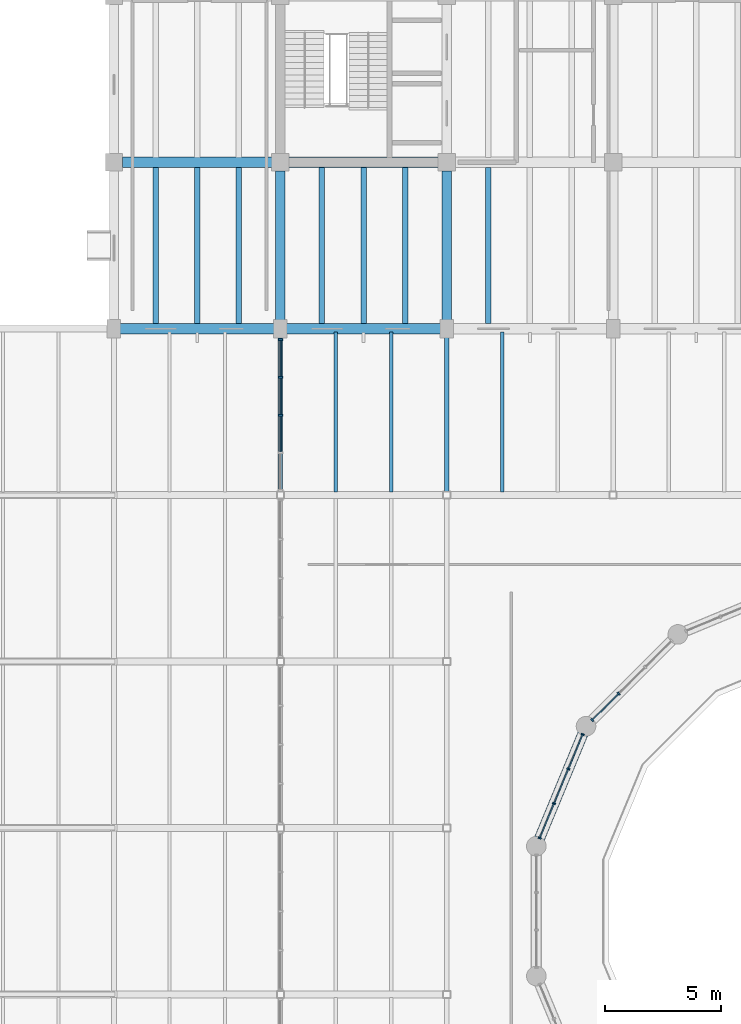
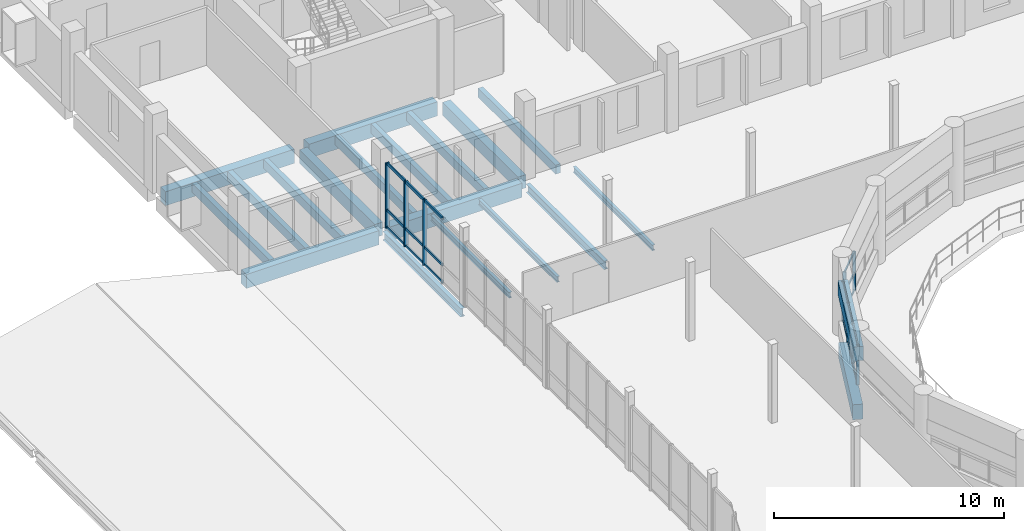
# One storey, part 29 of 63: 30 members, 20 beams, 3 elements without a shape of their own.
"""IFC4 building model written with IfcOpenShell, lengths in metres."""

from ifc_helpers import new_model, si_unit, direction, frame, origin, origin_2d, place, context, subcontext, project, spatial, rectangle, i_section, extrude, material, material_profile, profile_set, type_object, element, aggregate, save


model = new_model("IFC4")

# Units and contexts
model_context = context("Model", 3, precision=1e-05, world=origin(), true_north=direction((0.0, 1.0)))
body_context = subcontext(model_context, "Body", "Model", "MODEL_VIEW")
ifc_project = project(units=[si_unit("LENGTHUNIT", "METRE"), si_unit("AREAUNIT", "SQUARE_METRE"), si_unit("VOLUMEUNIT", "CUBIC_METRE"), si_unit("PLANEANGLEUNIT", "RADIAN"), si_unit("MASSUNIT", "GRAM", prefix="KILO")], contexts=[model_context])

# Site, building, storey
site_placement = place(None, origin())
site = spatial("IfcSite", under=ifc_project, at=site_placement, CompositionType="ELEMENT")
building_placement = place(site_placement, origin())
building = spatial("IfcBuilding", under=site, at=building_placement, Name="Qiaolan Assembly House", CompositionType="ELEMENT")
storey_placement = place(building_placement, frame((0.0, 0.0, 14.39990234375)))
storey = spatial("IfcBuildingStorey", under=building, at=storey_placement, Name="L03", CompositionType="ELEMENT", Elevation=14.39990234375)

# Beams
ifc_material_1 = material(Name="Concrete C40/50", Category="concrete")
ifc_material_profile_1 = material_profile(ifc_material_1, rectangle(XDim=0.39990234375, YDim=0.699951171875, at=origin_2d()), Name="RCB 400x700")
ifc_profile_set_1 = profile_set([ifc_material_profile_1], Name="Concrete C40/50")
beam_type_1 = type_object("IfcBeamType", Name="BM-RC-400x700", PredefinedType="BEAM", material=ifc_profile_set_1)
for number, where, z_axis, x_axis, name in (
    (1, (43.199951171875, 86.6650390625, -0.579833984375), (0.0, 1.0, 0.0), (-1.0, 0.0, 0.0), "GB-05 beam BMY-NW-L03-01-00"),
    (2, (50.39990234375, 86.6650390625, -0.579833984375), (0.0, 1.0, 0.0), (-1.0, 0.0, 0.0), "GB-05 beam BMY-NW-L03-02-00"),
):
    element("IfcBeam", number, at=place(storey_placement, frame(where, z_axis=z_axis, x_axis=x_axis)), inside=storey, type_object=beam_type_1, Name=name, PredefinedType="BEAM", context=body_context, shape_type="SweptSolid", body=[
        extrude(rectangle(XDim=0.39990234375, YDim=0.699951171875, at=origin_2d()), origin(), (0.0, 0.0, 1.0), 6.570068359375),
    ])
ifc_material_profile_2 = material_profile(ifc_material_1, rectangle(XDim=0.449951171875, YDim=0.75, at=origin_2d()), Name="RCB 450x750")
ifc_profile_set_2 = profile_set([ifc_material_profile_2], Name="Concrete C40/50")
beam_type_2 = type_object("IfcBeamType", Name="BM-RC-450x750", PredefinedType="BEAM", material=ifc_profile_set_2)
beam_1_placement = place(storey_placement, frame((54.372314453125, 64.240234375, 2.525146484375), z_axis=(0.382670538813, 0.92388487309, 0.0), x_axis=(-0.92388487309, 0.382670538813, 0.0)))
element("IfcBeam", 3, at=beam_1_placement, inside=storey, type_object=beam_type_2, Name="GB-04 drum clerestory lintel beam 7 L03", PredefinedType="BEAM", context=body_context, shape_type="SweptSolid", body=[
    extrude(rectangle(XDim=0.449951171875, YDim=0.75, at=origin_2d()), origin(), (0.0, 0.0, 1.0), 5.11865234375),
])
beam_2_placement = place(storey_placement, frame((36.264892578125, 86.39990234375, -0.60498046875), z_axis=(1.0, 0.0, 0.0), x_axis=(0.0, 1.0, 0.0)))
element("IfcBeam", 4, at=beam_2_placement, inside=storey, type_object=beam_type_2, Name="GB-04 beam BMX-NW-L03-00-00", PredefinedType="BEAM", context=body_context, shape_type="SweptSolid", body=[
    extrude(rectangle(XDim=0.449951171875, YDim=0.75, at=origin_2d()), origin(), (0.0, 0.0, 1.0), 6.670166015625),
])
beam_3_placement = place(storey_placement, frame((43.465087890625, 86.39990234375, -0.60498046875), z_axis=(1.0, 0.0, 0.0), x_axis=(0.0, 1.0, 0.0)))
element("IfcBeam", 5, at=beam_3_placement, inside=storey, type_object=beam_type_2, Name="GB-04 beam BMX-NW-L03-01-00", PredefinedType="BEAM", context=body_context, shape_type="SweptSolid", body=[
    extrude(rectangle(XDim=0.449951171875, YDim=0.75, at=origin_2d()), origin(), (0.0, 0.0, 1.0), 6.669921875),
])
for number, where, z_axis, x_axis, name in (
    (6, (36.364990234375, 93.60009765625, -0.60498046875), (1.0, 0.0, 0.0), (0.0, 1.0, 0.0), "GB-04 beam BMX-NW-L03-00-01"),
    (7, (43.56494140625, 93.60009765625, -0.60498046875), (1.0, 0.0, 0.0), (0.0, 1.0, 0.0), "GB-04 beam BMX-NW-L03-01-01"),
):
    element("IfcBeam", number, at=place(storey_placement, frame(where, z_axis=z_axis, x_axis=x_axis)), inside=storey, type_object=beam_type_2, Name=name, PredefinedType="BEAM", context=body_context, shape_type="SweptSolid", body=[
        extrude(rectangle(XDim=0.449951171875, YDim=0.75, at=origin_2d()), origin(), (0.0, 0.0, 1.0), 6.469970703125),
    ])
ifc_material_profile_3 = material_profile(ifc_material_1, rectangle(XDim=0.449951171875, YDim=0.800048828125, at=origin_2d()), Name="RCB 450x800")
ifc_profile_set_3 = profile_set([ifc_material_profile_3], Name="Concrete C40/50")
beam_type_3 = type_object("IfcBeamType", Name="BM-RC-450x800", PredefinedType="BEAM", material=ifc_profile_set_3)
beam_4_placement = place(storey_placement, frame((56.26806640625, 68.81689453125, -0.68994140625), z_axis=(-0.38268500057, -0.923878882938, 0.0), x_axis=(0.923878882938, -0.38268500057, 0.0)))
element("IfcBeam", 8, at=beam_4_placement, inside=storey, type_object=beam_type_3, Name="GB-03 beam BM-DRUM-L03-06", PredefinedType="BEAM", context=body_context, shape_type="SweptSolid", body=[
    extrude(rectangle(XDim=0.449951171875, YDim=0.800048828125, at=origin_2d()), origin(), (0.0, 0.0, 1.0), 4.78857421875),
])
ifc_material_2 = material(Name="Steel Q355B", Category="steel")
ifc_material_profile_4 = material_profile(ifc_material_2, i_section(OverallWidth=0.199951171875, OverallDepth=0.449951171875, WebThickness=0.009033203125, FlangeThickness=0.013916015625, FilletRadius=0.01611328125, at=origin_2d()), Name="HN 450x200x9x14")
ifc_profile_set_4 = profile_set([ifc_material_profile_4], Name="Steel Q355B")
beam_type_4 = type_object("IfcBeamType", Name="BM-STL-HN450", PredefinedType="BEAM", material=ifc_profile_set_4)
for number, where, z_axis, x_axis, name in (
    (9, (43.199951171875, 79.340087890625, -0.52490234375), (0.0, 1.0, 0.0), (-1.0, 0.0, 0.0), "SB-07 beam BMY-HLC-L03-00-06"),
    (10, (50.39990234375, 79.340087890625, -0.52490234375), (0.0, 1.0, 0.0), (-1.0, 0.0, 0.0), "SB-07 beam BMY-HLC-L03-01-06"),
):
    element("IfcBeam", number, at=place(storey_placement, frame(where, z_axis=z_axis, x_axis=x_axis)), inside=storey, type_object=beam_type_4, Name=name, PredefinedType="BEAM", context=body_context, shape_type="SweptSolid", body=[
        extrude(i_section(OverallWidth=0.199951171875, OverallDepth=0.449951171875, WebThickness=0.009033203125, FlangeThickness=0.013916015625, FilletRadius=0.01611328125, at=origin_2d()), origin(), (0.0, 0.0, 1.0), 6.794921875),
    ])

# Curtain wall, members
ifc_material_3 = material(Name="Anodised bronze aluminium", Category="aluminium")
curtain_wall_type_1 = type_object("IfcCurtainWallType", Name="CW-DRUM-CLERESTORY", PredefinedType="NOTDEFINED", material=ifc_material_3)
curtain_wall_1_placement = place(storey_placement, origin())
curtain_wall_1 = element("IfcCurtainWall", 11, at=curtain_wall_1_placement, inside=storey, type_object=curtain_wall_type_1, Name="CW-06 Council Chamber Drum Clerestory Curtain Wall 6", PredefinedType="NOTDEFINED")
ifc_material_profile_5 = material_profile(ifc_material_3, rectangle(XDim=0.06591796875, YDim=0.14501953125, at=origin_2d()), Name="MUL 66x145")
ifc_profile_set_5 = profile_set([ifc_material_profile_5], Name="Anodised bronze aluminium")
member_type_1 = type_object("IfcMemberType", Name="CW-DRUM-CLERESTORY-MUL", PredefinedType="MULLION", material=ifc_profile_set_5)
member_1_placement = place(storey_placement, frame((56.695556640625, 69.468994140625, 0.800048828125), z_axis=(0.0, 0.0, 1.0), x_axis=(0.707106781187, 0.707106781187, 0.0)))
member_1 = element("IfcMember", 12, at=member_1_placement, type_object=member_type_1, Name="ML-07 mullion CW-DRUM-CLER-05-1", PredefinedType="MULLION", context=body_context, shape_type="SweptSolid", body=[
    extrude(rectangle(XDim=0.06591796875, YDim=0.14501953125, at=origin_2d()), origin(), (0.0, 0.0, 1.0), 2.10009765625),
])
member_2_placement = place(storey_placement, frame((57.840576171875, 70.614013671875, 0.800048828125), z_axis=(0.0, 0.0, 1.0), x_axis=(0.707106781187, 0.707106781187, 0.0)))
member_2 = element("IfcMember", 13, at=member_2_placement, type_object=member_type_1, Name="ML-07 mullion CW-DRUM-CLER-05-2", PredefinedType="MULLION", context=body_context, shape_type="SweptSolid", body=[
    extrude(rectangle(XDim=0.06591796875, YDim=0.14501953125, at=origin_2d()), origin(), (0.0, 0.0, 1.0), 2.10009765625),
])

curtain_wall_2_placement = place(storey_placement, origin())
curtain_wall_2 = element("IfcCurtainWall", 14, at=curtain_wall_2_placement, inside=storey, type_object=curtain_wall_type_1, Name="CW-06 Council Chamber Drum Clerestory Curtain Wall 7", PredefinedType="NOTDEFINED")
member_3_placement = place(storey_placement, frame((54.422119140625, 64.3603515625, 0.800048828125), z_axis=(0.0, 0.0, 1.0), x_axis=(0.382683415031, 0.923879539691, 0.0)))
member_3 = element("IfcMember", 15, at=member_3_placement, type_object=member_type_1, Name="ML-07 mullion CW-DRUM-CLER-06-1", PredefinedType="MULLION", context=body_context, shape_type="SweptSolid", body=[
    extrude(rectangle(XDim=0.06591796875, YDim=0.14501953125, at=origin_2d()), origin(), (0.0, 0.0, 1.0), 2.10009765625),
])
member_4_placement = place(storey_placement, frame((55.041748046875, 65.856689453125, 0.800048828125), z_axis=(0.0, 0.0, 1.0), x_axis=(0.382683415031, 0.923879539691, 0.0)))
member_4 = element("IfcMember", 16, at=member_4_placement, type_object=member_type_1, Name="ML-07 mullion CW-DRUM-CLER-06-2", PredefinedType="MULLION", context=body_context, shape_type="SweptSolid", body=[
    extrude(rectangle(XDim=0.06591796875, YDim=0.14501953125, at=origin_2d()), origin(), (0.0, 0.0, 1.0), 2.10009765625),
])
member_5_placement = place(storey_placement, frame((55.66162109375, 67.35302734375, 0.800048828125), z_axis=(0.0, 0.0, 1.0), x_axis=(0.382683415031, 0.923879539691, 0.0)))
member_5 = element("IfcMember", 17, at=member_5_placement, type_object=member_type_1, Name="ML-07 mullion CW-DRUM-CLER-06-3", PredefinedType="MULLION", context=body_context, shape_type="SweptSolid", body=[
    extrude(rectangle(XDim=0.06591796875, YDim=0.14501953125, at=origin_2d()), origin(), (0.0, 0.0, 1.0), 2.10009765625),
])
member_6_placement = place(storey_placement, frame((56.281494140625, 68.84912109375, 0.800048828125), z_axis=(0.0, 0.0, 1.0), x_axis=(0.382683415031, 0.923879539691, 0.0)))
member_6 = element("IfcMember", 18, at=member_6_placement, type_object=member_type_1, Name="ML-07 mullion CW-DRUM-CLER-06-4", PredefinedType="MULLION", context=body_context, shape_type="SweptSolid", body=[
    extrude(rectangle(XDim=0.06591796875, YDim=0.14501953125, at=origin_2d()), origin(), (0.0, 0.0, 1.0), 2.10009765625),
])

# Member
ifc_material_profile_6 = material_profile(ifc_material_3, rectangle(XDim=0.05810546875, YDim=0.114990234375, at=origin_2d()), Name="TRN 58x115")
ifc_profile_set_6 = profile_set([ifc_material_profile_6], Name="Anodised bronze aluminium")
member_type_2 = type_object("IfcMemberType", Name="CW-DRUM-CLERESTORY-TRN", PredefinedType="USERDEFINED", material=ifc_profile_set_6)
member_7_placement = place(storey_placement, frame((56.718994140625, 69.4921875, 0.830078125), z_axis=(0.70702820067, 0.707185352971, 0.0), x_axis=(-0.707185352971, 0.70702820067, 0.0)))
member_7 = element("IfcMember", 19, at=member_7_placement, type_object=member_type_2, Name="TR-07 transom CW-DRUM-CLER-05-1-1", ObjectType="TRANSOM", PredefinedType="USERDEFINED", context=body_context, shape_type="SweptSolid", body=[
    extrude(rectangle(XDim=0.05810546875, YDim=0.114990234375, at=origin_2d()), origin(), (0.0, 0.0, 1.0), 1.553466796875),
])

member_8_placement = place(storey_placement, frame((56.718994140625, 69.4921875, 1.75), z_axis=(0.70702820067, 0.707185352971, 0.0), x_axis=(-0.707185352971, 0.70702820067, 0.0)))
member_8 = element("IfcMember", 20, at=member_8_placement, type_object=member_type_2, Name="TR-07 transom CW-DRUM-CLER-05-1-2", ObjectType="TRANSOM", PredefinedType="USERDEFINED", context=body_context, shape_type="SweptSolid", body=[
    extrude(rectangle(XDim=0.05810546875, YDim=0.114990234375, at=origin_2d()), origin(), (0.0, 0.0, 1.0), 1.553466796875),
])

member_9_placement = place(storey_placement, frame((56.718994140625, 69.4921875, 2.8701171875), z_axis=(0.70702820067, 0.707185352971, 0.0), x_axis=(-0.707185352971, 0.70702820067, 0.0)))
member_9 = element("IfcMember", 21, at=member_9_placement, type_object=member_type_2, Name="TR-07 transom CW-DRUM-CLER-05-1-3", ObjectType="TRANSOM", PredefinedType="USERDEFINED", context=body_context, shape_type="SweptSolid", body=[
    extrude(rectangle(XDim=0.05810546875, YDim=0.114990234375, at=origin_2d()), origin(), (0.0, 0.0, 1.0), 1.553466796875),
])

aggregate(curtain_wall_1, [member_1, member_2, member_7, member_8, member_9])

member_10_placement = place(storey_placement, frame((54.434814453125, 64.390869140625, 0.830078125), z_axis=(0.382661764772, 0.923888507225, 0.0), x_axis=(-0.923888507225, 0.382661764772, 0.0)))
member_10 = element("IfcMember", 22, at=member_10_placement, type_object=member_type_2, Name="TR-07 transom CW-DRUM-CLER-06-1-1", ObjectType="TRANSOM", PredefinedType="USERDEFINED", context=body_context, shape_type="SweptSolid", body=[
    extrude(rectangle(XDim=0.05810546875, YDim=0.114990234375, at=origin_2d()), origin(), (0.0, 0.0, 1.0), 1.553466796875),
])

member_11_placement = place(storey_placement, frame((54.434814453125, 64.390869140625, 1.75), z_axis=(0.382661764772, 0.923888507225, 0.0), x_axis=(-0.923888507225, 0.382661764772, 0.0)))
member_11 = element("IfcMember", 23, at=member_11_placement, type_object=member_type_2, Name="TR-07 transom CW-DRUM-CLER-06-1-2", ObjectType="TRANSOM", PredefinedType="USERDEFINED", context=body_context, shape_type="SweptSolid", body=[
    extrude(rectangle(XDim=0.05810546875, YDim=0.114990234375, at=origin_2d()), origin(), (0.0, 0.0, 1.0), 1.553466796875),
])

member_12_placement = place(storey_placement, frame((54.434814453125, 64.390869140625, 2.8701171875), z_axis=(0.382661764772, 0.923888507225, 0.0), x_axis=(-0.923888507225, 0.382661764772, 0.0)))
member_12 = element("IfcMember", 24, at=member_12_placement, type_object=member_type_2, Name="TR-07 transom CW-DRUM-CLER-06-1-3", ObjectType="TRANSOM", PredefinedType="USERDEFINED", context=body_context, shape_type="SweptSolid", body=[
    extrude(rectangle(XDim=0.05810546875, YDim=0.114990234375, at=origin_2d()), origin(), (0.0, 0.0, 1.0), 1.553466796875),
])

member_13_placement = place(storey_placement, frame((55.054443359375, 65.88720703125, 0.830078125), z_axis=(0.382661764772, 0.923888507225, 0.0), x_axis=(-0.923888507225, 0.382661764772, 0.0)))
member_13 = element("IfcMember", 25, at=member_13_placement, type_object=member_type_2, Name="TR-07 transom CW-DRUM-CLER-06-2-1", ObjectType="TRANSOM", PredefinedType="USERDEFINED", context=body_context, shape_type="SweptSolid", body=[
    extrude(rectangle(XDim=0.05810546875, YDim=0.114990234375, at=origin_2d()), origin(), (0.0, 0.0, 1.0), 1.553466796875),
])

member_14_placement = place(storey_placement, frame((55.054443359375, 65.88720703125, 1.75), z_axis=(0.382661764772, 0.923888507225, 0.0), x_axis=(-0.923888507225, 0.382661764772, 0.0)))
member_14 = element("IfcMember", 26, at=member_14_placement, type_object=member_type_2, Name="TR-07 transom CW-DRUM-CLER-06-2-2", ObjectType="TRANSOM", PredefinedType="USERDEFINED", context=body_context, shape_type="SweptSolid", body=[
    extrude(rectangle(XDim=0.05810546875, YDim=0.114990234375, at=origin_2d()), origin(), (0.0, 0.0, 1.0), 1.553466796875),
])

member_15_placement = place(storey_placement, frame((55.054443359375, 65.88720703125, 2.8701171875), z_axis=(0.382661764772, 0.923888507225, 0.0), x_axis=(-0.923888507225, 0.382661764772, 0.0)))
member_15 = element("IfcMember", 27, at=member_15_placement, type_object=member_type_2, Name="TR-07 transom CW-DRUM-CLER-06-2-3", ObjectType="TRANSOM", PredefinedType="USERDEFINED", context=body_context, shape_type="SweptSolid", body=[
    extrude(rectangle(XDim=0.05810546875, YDim=0.114990234375, at=origin_2d()), origin(), (0.0, 0.0, 1.0), 1.553466796875),
])

member_16_placement = place(storey_placement, frame((55.67431640625, 67.38330078125, 0.830078125), z_axis=(0.382661764772, 0.923888507225, 0.0), x_axis=(-0.923888507225, 0.382661764772, 0.0)))
member_16 = element("IfcMember", 28, at=member_16_placement, type_object=member_type_2, Name="TR-07 transom CW-DRUM-CLER-06-3-1", ObjectType="TRANSOM", PredefinedType="USERDEFINED", context=body_context, shape_type="SweptSolid", body=[
    extrude(rectangle(XDim=0.05810546875, YDim=0.114990234375, at=origin_2d()), origin(), (0.0, 0.0, 1.0), 1.553466796875),
])

member_17_placement = place(storey_placement, frame((55.67431640625, 67.38330078125, 1.75), z_axis=(0.382661764772, 0.923888507225, 0.0), x_axis=(-0.923888507225, 0.382661764772, 0.0)))
member_17 = element("IfcMember", 29, at=member_17_placement, type_object=member_type_2, Name="TR-07 transom CW-DRUM-CLER-06-3-2", ObjectType="TRANSOM", PredefinedType="USERDEFINED", context=body_context, shape_type="SweptSolid", body=[
    extrude(rectangle(XDim=0.05810546875, YDim=0.114990234375, at=origin_2d()), origin(), (0.0, 0.0, 1.0), 1.553466796875),
])

member_18_placement = place(storey_placement, frame((55.67431640625, 67.38330078125, 2.8701171875), z_axis=(0.382661764772, 0.923888507225, 0.0), x_axis=(-0.923888507225, 0.382661764772, 0.0)))
member_18 = element("IfcMember", 30, at=member_18_placement, type_object=member_type_2, Name="TR-07 transom CW-DRUM-CLER-06-3-3", ObjectType="TRANSOM", PredefinedType="USERDEFINED", context=body_context, shape_type="SweptSolid", body=[
    extrude(rectangle(XDim=0.05810546875, YDim=0.114990234375, at=origin_2d()), origin(), (0.0, 0.0, 1.0), 1.553466796875),
])

aggregate(curtain_wall_2, [member_3, member_4, member_5, member_6, member_10, member_11, member_12, member_13, member_14, member_15, member_16, member_17, member_18])

# Curtain wall, members
curtain_wall_type_2 = type_object("IfcCurtainWallType", Name="CW-HALL-CONC-420", PredefinedType="NOTDEFINED", material=ifc_material_3)
curtain_wall_3_placement = place(storey_placement, origin())
curtain_wall_3 = element("IfcCurtainWall", 31, at=curtain_wall_3_placement, inside=storey, type_object=curtain_wall_type_2, Name="CW-07 L03 Concourse West CW 7", PredefinedType="NOTDEFINED")
ifc_material_profile_7 = material_profile(ifc_material_3, rectangle(XDim=0.08203125, YDim=0.18994140625, at=origin_2d()), Name="MUL 82x190")
ifc_profile_set_7 = profile_set([ifc_material_profile_7], Name="Anodised bronze aluminium")
member_type_3 = type_object("IfcMemberType", Name="CW-HALL-CONC-420-MUL", PredefinedType="MULLION", material=ifc_profile_set_7)
member_19_placement = place(storey_placement, frame((43.199951171875, 82.6650390625, 0.0), z_axis=(0.0, 0.0, 1.0), x_axis=(0.0, 1.0, 0.0)))
member_19 = element("IfcMember", 32, at=member_19_placement, type_object=member_type_3, Name="ML-03 mullion CW-HLC-W-06-3", PredefinedType="MULLION", context=body_context, shape_type="SweptSolid", body=[
    extrude(rectangle(XDim=0.08203125, YDim=0.18994140625, at=origin_2d()), origin(), (0.0, 0.0, 1.0), 3.4501953125),
])
member_20_placement = place(storey_placement, frame((43.199951171875, 84.29248046875, 0.0), z_axis=(0.0, 0.0, 1.0), x_axis=(0.0, 1.0, 0.0)))
member_20 = element("IfcMember", 33, at=member_20_placement, type_object=member_type_3, Name="ML-03 mullion CW-HLC-W-06-4", PredefinedType="MULLION", context=body_context, shape_type="SweptSolid", body=[
    extrude(rectangle(XDim=0.08203125, YDim=0.18994140625, at=origin_2d()), origin(), (0.0, 0.0, 1.0), 3.4501953125),
])
member_21_placement = place(storey_placement, frame((43.199951171875, 85.919921875, 0.0), z_axis=(0.0, 0.0, 1.0), x_axis=(0.0, 1.0, 0.0)))
member_21 = element("IfcMember", 34, at=member_21_placement, type_object=member_type_3, Name="ML-03 mullion CW-HLC-W-06-5", PredefinedType="MULLION", context=body_context, shape_type="SweptSolid", body=[
    extrude(rectangle(XDim=0.08203125, YDim=0.18994140625, at=origin_2d()), origin(), (0.0, 0.0, 1.0), 3.4501953125),
])
ifc_material_profile_8 = material_profile(ifc_material_3, rectangle(XDim=0.072021484375, YDim=0.14501953125, at=origin_2d()), Name="TRN 72x145")
ifc_profile_set_8 = profile_set([ifc_material_profile_8], Name="Anodised bronze aluminium")
member_type_4 = type_object("IfcMemberType", Name="CW-HALL-CONC-420-TRN", PredefinedType="USERDEFINED", material=ifc_profile_set_8)
member_22_placement = place(storey_placement, frame((43.199951171875, 81.07861328125, 0.030029296875), z_axis=(0.0, 1.0, 0.0), x_axis=(-1.0, 0.0, 0.0)))
member_22 = element("IfcMember", 35, at=member_22_placement, type_object=member_type_4, Name="TR-03 transom CW-HLC-W-06-2-1", ObjectType="TRANSOM", PredefinedType="USERDEFINED", context=body_context, shape_type="SweptSolid", body=[
    extrude(rectangle(XDim=0.072021484375, YDim=0.14501953125, at=origin_2d()), origin(), (0.0, 0.0, 1.0), 1.54541015625),
])
member_23_placement = place(storey_placement, frame((43.199951171875, 81.07861328125, 0.9501953125), z_axis=(0.0, 1.0, 0.0), x_axis=(-1.0, 0.0, 0.0)))
member_23 = element("IfcMember", 36, at=member_23_placement, type_object=member_type_4, Name="TR-03 transom CW-HLC-W-06-2-2", ObjectType="TRANSOM", PredefinedType="USERDEFINED", context=body_context, shape_type="SweptSolid", body=[
    extrude(rectangle(XDim=0.072021484375, YDim=0.14501953125, at=origin_2d()), origin(), (0.0, 0.0, 1.0), 1.54541015625),
])
member_24_placement = place(storey_placement, frame((43.199951171875, 81.07861328125, 3.420166015625), z_axis=(0.0, 1.0, 0.0), x_axis=(-1.0, 0.0, 0.0)))
member_24 = element("IfcMember", 37, at=member_24_placement, type_object=member_type_4, Name="TR-03 transom CW-HLC-W-06-2-3", ObjectType="TRANSOM", PredefinedType="USERDEFINED", context=body_context, shape_type="SweptSolid", body=[
    extrude(rectangle(XDim=0.072021484375, YDim=0.14501953125, at=origin_2d()), origin(), (0.0, 0.0, 1.0), 1.54541015625),
])
member_25_placement = place(storey_placement, frame((43.199951171875, 82.7060546875, 0.030029296875), z_axis=(0.0, 1.0, 0.0), x_axis=(-1.0, 0.0, 0.0)))
member_25 = element("IfcMember", 38, at=member_25_placement, type_object=member_type_4, Name="TR-03 transom CW-HLC-W-06-3-1", ObjectType="TRANSOM", PredefinedType="USERDEFINED", context=body_context, shape_type="SweptSolid", body=[
    extrude(rectangle(XDim=0.072021484375, YDim=0.14501953125, at=origin_2d()), origin(), (0.0, 0.0, 1.0), 1.54541015625),
])
member_26_placement = place(storey_placement, frame((43.199951171875, 82.7060546875, 0.9501953125), z_axis=(0.0, 1.0, 0.0), x_axis=(-1.0, 0.0, 0.0)))
member_26 = element("IfcMember", 39, at=member_26_placement, type_object=member_type_4, Name="TR-03 transom CW-HLC-W-06-3-2", ObjectType="TRANSOM", PredefinedType="USERDEFINED", context=body_context, shape_type="SweptSolid", body=[
    extrude(rectangle(XDim=0.072021484375, YDim=0.14501953125, at=origin_2d()), origin(), (0.0, 0.0, 1.0), 1.54541015625),
])
member_27_placement = place(storey_placement, frame((43.199951171875, 82.7060546875, 3.420166015625), z_axis=(0.0, 1.0, 0.0), x_axis=(-1.0, 0.0, 0.0)))
member_27 = element("IfcMember", 40, at=member_27_placement, type_object=member_type_4, Name="TR-03 transom CW-HLC-W-06-3-3", ObjectType="TRANSOM", PredefinedType="USERDEFINED", context=body_context, shape_type="SweptSolid", body=[
    extrude(rectangle(XDim=0.072021484375, YDim=0.14501953125, at=origin_2d()), origin(), (0.0, 0.0, 1.0), 1.54541015625),
])
member_28_placement = place(storey_placement, frame((43.199951171875, 84.33349609375, 0.030029296875), z_axis=(0.0, 1.0, 0.0), x_axis=(-1.0, 0.0, 0.0)))
member_28 = element("IfcMember", 41, at=member_28_placement, type_object=member_type_4, Name="TR-03 transom CW-HLC-W-06-4-1", ObjectType="TRANSOM", PredefinedType="USERDEFINED", context=body_context, shape_type="SweptSolid", body=[
    extrude(rectangle(XDim=0.072021484375, YDim=0.14501953125, at=origin_2d()), origin(), (0.0, 0.0, 1.0), 1.54541015625),
])
member_29_placement = place(storey_placement, frame((43.199951171875, 84.33349609375, 0.9501953125), z_axis=(0.0, 1.0, 0.0), x_axis=(-1.0, 0.0, 0.0)))
member_29 = element("IfcMember", 42, at=member_29_placement, type_object=member_type_4, Name="TR-03 transom CW-HLC-W-06-4-2", ObjectType="TRANSOM", PredefinedType="USERDEFINED", context=body_context, shape_type="SweptSolid", body=[
    extrude(rectangle(XDim=0.072021484375, YDim=0.14501953125, at=origin_2d()), origin(), (0.0, 0.0, 1.0), 1.54541015625),
])
member_30_placement = place(storey_placement, frame((43.199951171875, 84.33349609375, 3.420166015625), z_axis=(0.0, 1.0, 0.0), x_axis=(-1.0, 0.0, 0.0)))
member_30 = element("IfcMember", 43, at=member_30_placement, type_object=member_type_4, Name="TR-03 transom CW-HLC-W-06-4-3", ObjectType="TRANSOM", PredefinedType="USERDEFINED", context=body_context, shape_type="SweptSolid", body=[
    extrude(rectangle(XDim=0.072021484375, YDim=0.14501953125, at=origin_2d()), origin(), (0.0, 0.0, 1.0), 1.54541015625),
])
aggregate(curtain_wall_3, [member_19, member_20, member_21, member_22, member_23, member_24, member_25, member_26, member_27, member_28, member_29, member_30])

# Beams
ifc_material_profile_9 = material_profile(ifc_material_1, rectangle(XDim=0.239990234375, YDim=0.47998046875, at=origin_2d()), Name="RCB 240x480")
ifc_profile_set_9 = profile_set([ifc_material_profile_9], Name="Concrete C40/50")
beam_type_5 = type_object("IfcBeamType", Name="JST-RC-240x480", PredefinedType="JOIST", material=ifc_profile_set_9)
for number, where, z_axis, x_axis, name in (
    (44, (37.800048828125, 86.618896484375, -0.469970703125), (0.0, 1.0, 0.0), (-1.0, 0.0, 0.0), "RJ-05 beam JST-NW-L03-00-00-1"),
    (45, (39.60009765625, 86.618896484375, -0.469970703125), (0.0, 1.0, 0.0), (-1.0, 0.0, 0.0), "RJ-05 beam JST-NW-L03-00-00-2"),
    (46, (41.39990234375, 86.618896484375, -0.469970703125), (0.0, 1.0, 0.0), (-1.0, 0.0, 0.0), "RJ-05 beam JST-NW-L03-00-00-3"),
    (47, (45.0, 86.618896484375, -0.469970703125), (0.0, 1.0, 0.0), (-1.0, 0.0, 0.0), "RJ-05 beam JST-NW-L03-01-00-1"),
    (48, (46.800048828125, 86.618896484375, -0.469970703125), (0.0, 1.0, 0.0), (-1.0, 0.0, 0.0), "RJ-05 beam JST-NW-L03-01-00-2"),
    (49, (48.60009765625, 86.618896484375, -0.469970703125), (0.0, 1.0, 0.0), (-1.0, 0.0, 0.0), "RJ-05 beam JST-NW-L03-01-00-3"),
    (50, (52.199951171875, 86.618896484375, -0.469970703125), (0.0, 1.0, 0.0), (-1.0, 0.0, 0.0), "RJ-05 beam JST-NW-L03-02-00-1"),
):
    element("IfcBeam", number, at=place(storey_placement, frame(where, z_axis=z_axis, x_axis=x_axis)), inside=storey, type_object=beam_type_5, Name=name, PredefinedType="JOIST", context=body_context, shape_type="SweptSolid", body=[
        extrude(rectangle(XDim=0.239990234375, YDim=0.47998046875, at=origin_2d()), origin(), (0.0, 0.0, 1.0), 6.76220703125),
    ])
ifc_material_profile_10 = material_profile(ifc_material_2, i_section(OverallWidth=0.14990234375, OverallDepth=0.300048828125, WebThickness=0.006591796875, FlangeThickness=0.009033203125, FilletRadius=0.012939453125, at=origin_2d()), Name="HN 300x150x6.5x9")
ifc_profile_set_10 = profile_set([ifc_material_profile_10], Name="Steel Q355B")
beam_type_6 = type_object("IfcBeamType", Name="JST-STL-HN300", PredefinedType="JOIST", material=ifc_profile_set_10)
for number, where, z_axis, x_axis, name in (
    (51, (45.60009765625, 79.343994140625, -0.449951171875), (0.0, 1.0, 0.0), (-1.0, 0.0, 0.0), "SJ-02 beam JST-HLC-L03-00-06-1"),
    (52, (48.0, 79.343994140625, -0.449951171875), (0.0, 1.0, 0.0), (-1.0, 0.0, 0.0), "SJ-02 beam JST-HLC-L03-00-06-2"),
    (53, (52.800048828125, 79.343994140625, -0.449951171875), (0.0, 1.0, 0.0), (-1.0, 0.0, 0.0), "SJ-02 beam JST-HLC-L03-01-06-1"),
):
    element("IfcBeam", number, at=place(storey_placement, frame(where, z_axis=z_axis, x_axis=x_axis)), inside=storey, type_object=beam_type_6, Name=name, PredefinedType="JOIST", context=body_context, shape_type="SweptSolid", body=[
        extrude(i_section(OverallWidth=0.14990234375, OverallDepth=0.300048828125, WebThickness=0.006591796875, FlangeThickness=0.009033203125, FilletRadius=0.012939453125, at=origin_2d()), origin(), (0.0, 0.0, 1.0), 6.912109375),
    ])

save(model, "model.ifc")
